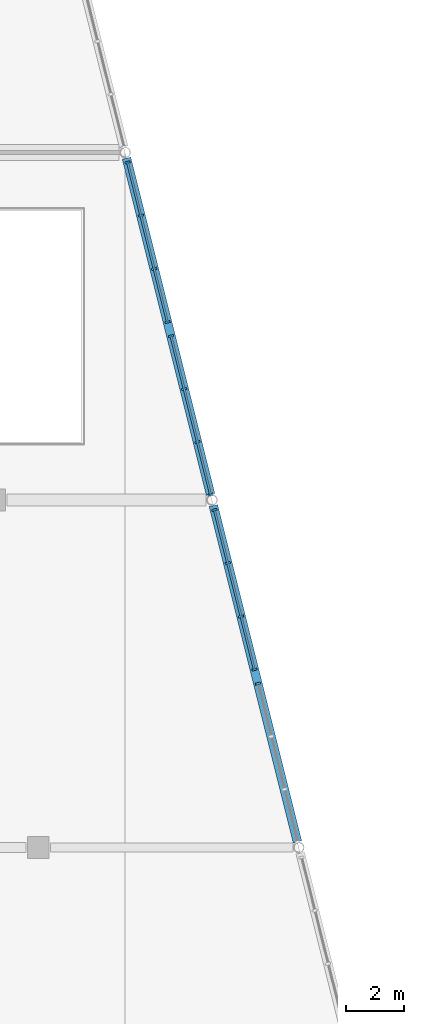
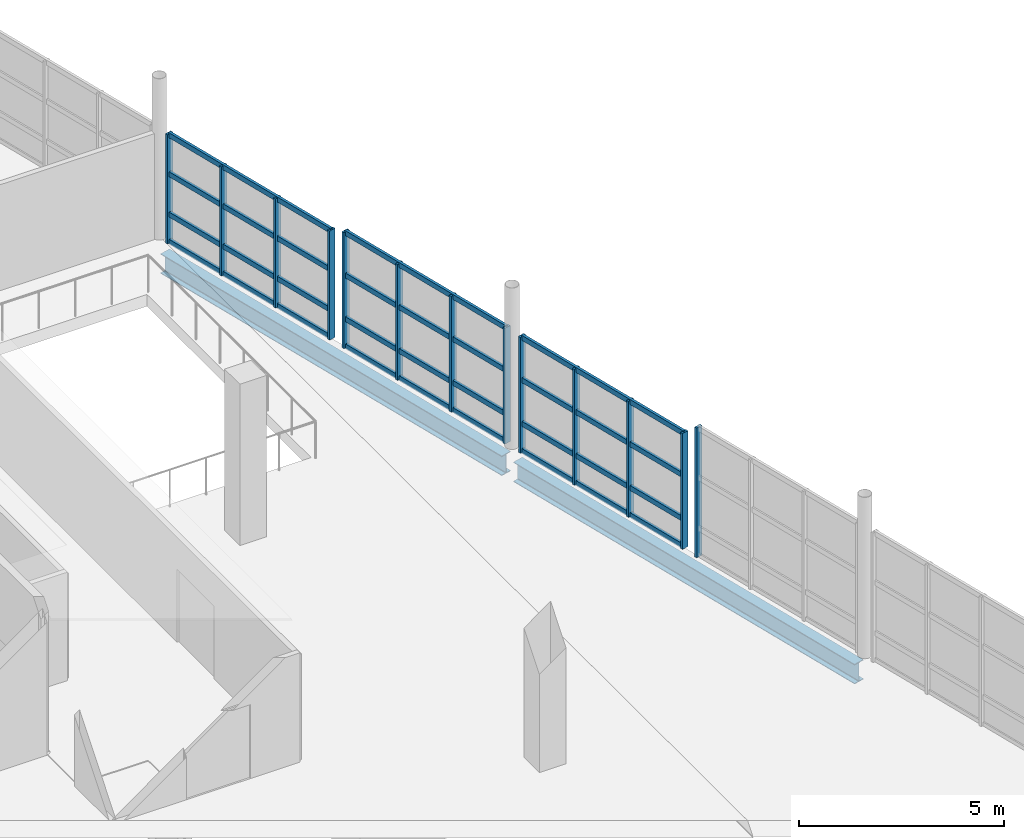
# One storey, part 41 of 112: 25 members, 2 beams, 4 elements without a shape of their own.
"""IFC4 building model written with IfcOpenShell, lengths in metres."""

from ifc_helpers import new_model, si_unit, direction, frame, origin, origin_2d, place, context, subcontext, project, spatial, rectangle, i_section, extrude, material, material_profile, profile_set, type_object, element, aggregate, save


model = new_model("IFC4")

# Units and contexts
model_context = context("Model", 3, precision=1e-05, world=origin(), true_north=direction((0.0, 1.0)))
body_context = subcontext(model_context, "Body", "Model", "MODEL_VIEW")
ifc_project = project(units=[si_unit("LENGTHUNIT", "METRE"), si_unit("AREAUNIT", "SQUARE_METRE"), si_unit("VOLUMEUNIT", "CUBIC_METRE"), si_unit("PLANEANGLEUNIT", "RADIAN"), si_unit("MASSUNIT", "GRAM", prefix="KILO")], contexts=[model_context])

# Site, building, storey
site_placement = place(None, origin())
site = spatial("IfcSite", under=ifc_project, at=site_placement, CompositionType="ELEMENT")
building_placement = place(site_placement, origin())
building = spatial("IfcBuilding", under=site, at=building_placement, Name="Kamomehara Wholesale Market", CompositionType="ELEMENT")
storey_placement = place(building_placement, frame((0.0, 0.0, 6.60009765625)))
storey = spatial("IfcBuildingStorey", under=building, at=storey_placement, Name="L01", CompositionType="ELEMENT", Elevation=6.60009765625)

# Beams
ifc_material_1 = material(Name="Steel SN490B", Category="steel")
ifc_material_profile_1 = material_profile(ifc_material_1, i_section(OverallWidth=0.300048828125, OverallDepth=0.587890625, WebThickness=0.011962890625, FlangeThickness=0.02001953125, FilletRadius=0.02197265625, at=origin_2d()), Name="H-588x300x12x20")
ifc_profile_set_1 = profile_set([ifc_material_profile_1], Name="Steel SN490B")
beam_type = type_object("IfcBeamType", Name="BM-ST-H588-EXT", PredefinedType="BEAM", material=ifc_profile_set_1)
for number, where, z_axis, x_axis, name in (
    (1, (197.950927734375, 48.197021484375, -0.6162109375), (-0.242564435623, 0.970135297044, 0.0), (-0.970135297044, -0.242564435623, 0.0), "Beam SG-06E L01"),
    (2, (194.950927734375, 60.197021484375, -0.64599609375), (-0.242564435623, 0.970135297044, 0.0), (-0.970135297044, -0.242564435623, 0.0), "Beam SG-06E L01"),
):
    element("IfcBeam", number, at=place(storey_placement, frame(where, z_axis=z_axis, x_axis=x_axis)), inside=storey, type_object=beam_type, Name=name, PredefinedType="BEAM", context=body_context, shape_type="SweptSolid", body=[
        extrude(i_section(OverallWidth=0.300048828125, OverallDepth=0.587890625, WebThickness=0.011962890625, FlangeThickness=0.02001953125, FilletRadius=0.02197265625, at=origin_2d()), origin(), (0.0, 0.0, 1.0), 11.963134765625),
    ])

# Curtain wall, members
ifc_material_2 = material(Name="Anodised aluminium 6063-T5", Category="aluminium")
curtain_wall_type = type_object("IfcCurtainWallType", Name="CW-UN-09", PredefinedType="NOTDEFINED", material=ifc_material_2)
curtain_wall_1_placement = place(storey_placement, origin())
curtain_wall_1 = element("IfcCurtainWall", 3, at=curtain_wall_1_placement, inside=storey, type_object=curtain_wall_type, Name="Unitised curtain wall CW-181", PredefinedType="NOTDEFINED")
ifc_material_3 = material(Name="Anodised aluminium 6063-T5", Category="aluminium")
ifc_material_profile_2 = material_profile(ifc_material_3, rectangle(XDim=0.074951171875, YDim=0.179931640625, at=origin_2d()), Name="ALU-MUL-75x180")
ifc_profile_set_2 = profile_set([ifc_material_profile_2], Name="Anodised aluminium 6063-T5")
member_type_1 = type_object("IfcMemberType", Name="CW-MUL-180", PredefinedType="MULLION", material=ifc_profile_set_2)
member_1_placement = place(storey_placement, frame((195.0849609375, 59.659912109375, 0.0), z_axis=(0.0, 0.0, 1.0), x_axis=(0.242617855844, -0.97012193874, 0.0)))
member_1 = element("IfcMember", 4, at=member_1_placement, type_object=member_type_1, Name="Mullion CW-181.0", PredefinedType="MULLION", context=body_context, shape_type="SweptSolid", body=[
    extrude(rectangle(XDim=0.074951171875, YDim=0.179931640625, at=origin_2d()), origin(), (0.0, 0.0, 1.0), 3.447998046875),
])
member_2_placement = place(storey_placement, frame((195.544921875, 57.822021484375, 0.0), z_axis=(0.0, 0.0, 1.0), x_axis=(0.242617855844, -0.97012193874, 0.0)))
member_2 = element("IfcMember", 5, at=member_2_placement, type_object=member_type_1, Name="Mullion CW-181.1", PredefinedType="MULLION", context=body_context, shape_type="SweptSolid", body=[
    extrude(rectangle(XDim=0.074951171875, YDim=0.179931640625, at=origin_2d()), origin(), (0.0, 0.0, 1.0), 3.447998046875),
])
member_3_placement = place(storey_placement, frame((196.00390625, 55.98388671875, 0.0), z_axis=(0.0, 0.0, 1.0), x_axis=(0.242617855844, -0.97012193874, 0.0)))
member_3 = element("IfcMember", 6, at=member_3_placement, type_object=member_type_1, Name="Mullion CW-181.2", PredefinedType="MULLION", context=body_context, shape_type="SweptSolid", body=[
    extrude(rectangle(XDim=0.074951171875, YDim=0.179931640625, at=origin_2d()), origin(), (0.0, 0.0, 1.0), 3.447998046875),
])
member_4_placement = place(storey_placement, frame((196.464111328125, 54.14599609375, 0.0), z_axis=(0.0, 0.0, 1.0), x_axis=(0.242617855844, -0.97012193874, 0.0)))
member_4 = element("IfcMember", 7, at=member_4_placement, type_object=member_type_1, Name="Mullion CW-181.3", PredefinedType="MULLION", context=body_context, shape_type="SweptSolid", body=[
    extrude(rectangle(XDim=0.074951171875, YDim=0.179931640625, at=origin_2d()), origin(), (0.0, 0.0, 1.0), 3.447998046875),
])

# Curtain wall, member
curtain_wall_2_placement = place(storey_placement, origin())
curtain_wall_2 = element("IfcCurtainWall", 8, at=curtain_wall_2_placement, inside=storey, type_object=curtain_wall_type, Name="Unitised curtain wall CW-182", PredefinedType="NOTDEFINED")
member_5_placement = place(storey_placement, frame((196.5849609375, 53.659912109375, 0.0), z_axis=(0.0, 0.0, 1.0), x_axis=(0.242451920441, -0.970163422458, 0.0)))
member_5 = element("IfcMember", 9, at=member_5_placement, type_object=member_type_1, Name="Mullion CW-182.0", PredefinedType="MULLION", context=body_context, shape_type="SweptSolid", body=[
    extrude(rectangle(XDim=0.074951171875, YDim=0.179931640625, at=origin_2d()), origin(), (0.0, 0.0, 1.0), 3.85986328125),
])
aggregate(curtain_wall_2, [member_5])

# Curtain wall, members
curtain_wall_3_placement = place(storey_placement, origin())
curtain_wall_3 = element("IfcCurtainWall", 10, at=curtain_wall_3_placement, inside=storey, type_object=curtain_wall_type, Name="Unitised curtain wall CW-183", PredefinedType="NOTDEFINED")
member_6_placement = place(storey_placement, frame((192.0849609375, 71.659912109375, 0.0), z_axis=(0.0, 0.0, 1.0), x_axis=(0.242617855844, -0.97012193874, 0.0)))
member_6 = element("IfcMember", 11, at=member_6_placement, type_object=member_type_1, Name="Mullion CW-183.0", PredefinedType="MULLION", context=body_context, shape_type="SweptSolid", body=[
    extrude(rectangle(XDim=0.074951171875, YDim=0.179931640625, at=origin_2d()), origin(), (0.0, 0.0, 1.0), 3.247802734375),
])
member_7_placement = place(storey_placement, frame((192.544921875, 69.822021484375, 0.0), z_axis=(0.0, 0.0, 1.0), x_axis=(0.242617855844, -0.97012193874, 0.0)))
member_7 = element("IfcMember", 12, at=member_7_placement, type_object=member_type_1, Name="Mullion CW-183.1", PredefinedType="MULLION", context=body_context, shape_type="SweptSolid", body=[
    extrude(rectangle(XDim=0.074951171875, YDim=0.179931640625, at=origin_2d()), origin(), (0.0, 0.0, 1.0), 3.247802734375),
])
member_8_placement = place(storey_placement, frame((193.00390625, 67.98388671875, 0.0), z_axis=(0.0, 0.0, 1.0), x_axis=(0.242617855844, -0.97012193874, 0.0)))
member_8 = element("IfcMember", 13, at=member_8_placement, type_object=member_type_1, Name="Mullion CW-183.2", PredefinedType="MULLION", context=body_context, shape_type="SweptSolid", body=[
    extrude(rectangle(XDim=0.074951171875, YDim=0.179931640625, at=origin_2d()), origin(), (0.0, 0.0, 1.0), 3.247802734375),
])
member_9_placement = place(storey_placement, frame((193.464111328125, 66.14599609375, 0.0), z_axis=(0.0, 0.0, 1.0), x_axis=(0.242617855844, -0.97012193874, 0.0)))
member_9 = element("IfcMember", 14, at=member_9_placement, type_object=member_type_1, Name="Mullion CW-183.3", PredefinedType="MULLION", context=body_context, shape_type="SweptSolid", body=[
    extrude(rectangle(XDim=0.074951171875, YDim=0.179931640625, at=origin_2d()), origin(), (0.0, 0.0, 1.0), 3.247802734375),
])

curtain_wall_4_placement = place(storey_placement, origin())
curtain_wall_4 = element("IfcCurtainWall", 15, at=curtain_wall_4_placement, inside=storey, type_object=curtain_wall_type, Name="Unitised curtain wall CW-184", PredefinedType="NOTDEFINED")
member_10_placement = place(storey_placement, frame((193.5849609375, 65.659912109375, 0.0), z_axis=(0.0, 0.0, 1.0), x_axis=(0.242451920441, -0.970163422458, 0.0)))
member_10 = element("IfcMember", 16, at=member_10_placement, type_object=member_type_1, Name="Mullion CW-184.0", PredefinedType="MULLION", context=body_context, shape_type="SweptSolid", body=[
    extrude(rectangle(XDim=0.074951171875, YDim=0.179931640625, at=origin_2d()), origin(), (0.0, 0.0, 1.0), 3.447998046875),
])
member_11_placement = place(storey_placement, frame((194.041015625, 63.833984375, 0.0), z_axis=(0.0, 0.0, 1.0), x_axis=(0.242451920441, -0.970163422458, 0.0)))
member_11 = element("IfcMember", 17, at=member_11_placement, type_object=member_type_1, Name="Mullion CW-184.1", PredefinedType="MULLION", context=body_context, shape_type="SweptSolid", body=[
    extrude(rectangle(XDim=0.074951171875, YDim=0.179931640625, at=origin_2d()), origin(), (0.0, 0.0, 1.0), 3.447998046875),
])
member_12_placement = place(storey_placement, frame((194.498046875, 62.008056640625, 0.0), z_axis=(0.0, 0.0, 1.0), x_axis=(0.242451920441, -0.970163422458, 0.0)))
member_12 = element("IfcMember", 18, at=member_12_placement, type_object=member_type_1, Name="Mullion CW-184.2", PredefinedType="MULLION", context=body_context, shape_type="SweptSolid", body=[
    extrude(rectangle(XDim=0.074951171875, YDim=0.179931640625, at=origin_2d()), origin(), (0.0, 0.0, 1.0), 3.447998046875),
])
member_13_placement = place(storey_placement, frame((194.9541015625, 60.181884765625, 0.0), z_axis=(0.0, 0.0, 1.0), x_axis=(0.242451920441, -0.970163422458, 0.0)))
member_13 = element("IfcMember", 19, at=member_13_placement, type_object=member_type_1, Name="Mullion CW-184.3", PredefinedType="MULLION", context=body_context, shape_type="SweptSolid", body=[
    extrude(rectangle(XDim=0.074951171875, YDim=0.179931640625, at=origin_2d()), origin(), (0.0, 0.0, 1.0), 3.447998046875),
])

# Member
ifc_material_4 = material(Name="Anodised aluminium 6063-T5", Category="aluminium")
ifc_material_profile_3 = material_profile(ifc_material_4, rectangle(XDim=0.074951171875, YDim=0.14990234375, at=origin_2d()), Name="ALU-TRN-75x150")
ifc_profile_set_3 = profile_set([ifc_material_profile_3], Name="Anodised aluminium 6063-T5")
member_type_2 = type_object("IfcMemberType", Name="CW-TRN-150", PredefinedType="USERDEFINED", material=ifc_profile_set_3)
member_14_placement = place(storey_placement, frame((195.0849609375, 59.659912109375, 0.039794921875), z_axis=(0.242646798343, -0.97011470005, 0.0), x_axis=(0.97011470005, 0.242646798343, 0.0)))
member_14 = element("IfcMember", 20, at=member_14_placement, type_object=member_type_2, Name="Transom CW-181.0", ObjectType="TRANSOM", PredefinedType="USERDEFINED", context=body_context, shape_type="SweptSolid", body=[
    extrude(rectangle(XDim=0.074951171875, YDim=0.14990234375, at=origin_2d()), origin(), (0.0, 0.0, 1.0), 5.683837890625),
])

member_15_placement = place(storey_placement, frame((195.0849609375, 59.659912109375, 0.849853515625), z_axis=(0.242646798343, -0.97011470005, 0.0), x_axis=(0.97011470005, 0.242646798343, 0.0)))
member_15 = element("IfcMember", 21, at=member_15_placement, type_object=member_type_2, Name="Transom CW-181.1", ObjectType="TRANSOM", PredefinedType="USERDEFINED", context=body_context, shape_type="SweptSolid", body=[
    extrude(rectangle(XDim=0.074951171875, YDim=0.14990234375, at=origin_2d()), origin(), (0.0, 0.0, 1.0), 5.683837890625),
])

member_16_placement = place(storey_placement, frame((195.0849609375, 59.659912109375, 2.14892578125), z_axis=(0.242646798343, -0.97011470005, 0.0), x_axis=(0.97011470005, 0.242646798343, 0.0)))
member_16 = element("IfcMember", 22, at=member_16_placement, type_object=member_type_2, Name="Transom CW-181.2", ObjectType="TRANSOM", PredefinedType="USERDEFINED", context=body_context, shape_type="SweptSolid", body=[
    extrude(rectangle(XDim=0.074951171875, YDim=0.14990234375, at=origin_2d()), origin(), (0.0, 0.0, 1.0), 5.683837890625),
])

member_17_placement = place(storey_placement, frame((195.0849609375, 59.659912109375, 3.407958984375), z_axis=(0.242646798343, -0.97011470005, 0.0), x_axis=(0.97011470005, 0.242646798343, 0.0)))
member_17 = element("IfcMember", 23, at=member_17_placement, type_object=member_type_2, Name="Transom CW-181.3", ObjectType="TRANSOM", PredefinedType="USERDEFINED", context=body_context, shape_type="SweptSolid", body=[
    extrude(rectangle(XDim=0.074951171875, YDim=0.14990234375, at=origin_2d()), origin(), (0.0, 0.0, 1.0), 5.683837890625),
])

aggregate(curtain_wall_1, [member_1, member_2, member_3, member_4, member_14, member_15, member_16, member_17])

member_18_placement = place(storey_placement, frame((192.0849609375, 71.659912109375, 0.039794921875), z_axis=(0.242646798343, -0.97011470005, 0.0), x_axis=(0.97011470005, 0.242646798343, 0.0)))
member_18 = element("IfcMember", 24, at=member_18_placement, type_object=member_type_2, Name="Transom CW-183.0", ObjectType="TRANSOM", PredefinedType="USERDEFINED", context=body_context, shape_type="SweptSolid", body=[
    extrude(rectangle(XDim=0.074951171875, YDim=0.14990234375, at=origin_2d()), origin(), (0.0, 0.0, 1.0), 5.683837890625),
])

member_19_placement = place(storey_placement, frame((192.0849609375, 71.659912109375, 0.849853515625), z_axis=(0.242646798343, -0.97011470005, 0.0), x_axis=(0.97011470005, 0.242646798343, 0.0)))
member_19 = element("IfcMember", 25, at=member_19_placement, type_object=member_type_2, Name="Transom CW-183.1", ObjectType="TRANSOM", PredefinedType="USERDEFINED", context=body_context, shape_type="SweptSolid", body=[
    extrude(rectangle(XDim=0.074951171875, YDim=0.14990234375, at=origin_2d()), origin(), (0.0, 0.0, 1.0), 5.683837890625),
])

member_20_placement = place(storey_placement, frame((192.0849609375, 71.659912109375, 2.048828125), z_axis=(0.242646798343, -0.97011470005, 0.0), x_axis=(0.97011470005, 0.242646798343, 0.0)))
member_20 = element("IfcMember", 26, at=member_20_placement, type_object=member_type_2, Name="Transom CW-183.2", ObjectType="TRANSOM", PredefinedType="USERDEFINED", context=body_context, shape_type="SweptSolid", body=[
    extrude(rectangle(XDim=0.074951171875, YDim=0.14990234375, at=origin_2d()), origin(), (0.0, 0.0, 1.0), 5.683837890625),
])

member_21_placement = place(storey_placement, frame((192.0849609375, 71.659912109375, 3.2080078125), z_axis=(0.242646798343, -0.97011470005, 0.0), x_axis=(0.97011470005, 0.242646798343, 0.0)))
member_21 = element("IfcMember", 27, at=member_21_placement, type_object=member_type_2, Name="Transom CW-183.3", ObjectType="TRANSOM", PredefinedType="USERDEFINED", context=body_context, shape_type="SweptSolid", body=[
    extrude(rectangle(XDim=0.074951171875, YDim=0.14990234375, at=origin_2d()), origin(), (0.0, 0.0, 1.0), 5.683837890625),
])

aggregate(curtain_wall_3, [member_6, member_7, member_8, member_9, member_18, member_19, member_20, member_21])

member_22_placement = place(storey_placement, frame((193.5849609375, 65.659912109375, 0.039794921875), z_axis=(0.242474583711, -0.970157758436, 0.0), x_axis=(0.970157758436, 0.242474583711, 0.0)))
member_22 = element("IfcMember", 28, at=member_22_placement, type_object=member_type_2, Name="Transom CW-184.0", ObjectType="TRANSOM", PredefinedType="USERDEFINED", context=body_context, shape_type="SweptSolid", body=[
    extrude(rectangle(XDim=0.074951171875, YDim=0.14990234375, at=origin_2d()), origin(), (0.0, 0.0, 1.0), 5.646484375),
])

member_23_placement = place(storey_placement, frame((193.5849609375, 65.659912109375, 0.849853515625), z_axis=(0.242474583711, -0.970157758436, 0.0), x_axis=(0.970157758436, 0.242474583711, 0.0)))
member_23 = element("IfcMember", 29, at=member_23_placement, type_object=member_type_2, Name="Transom CW-184.1", ObjectType="TRANSOM", PredefinedType="USERDEFINED", context=body_context, shape_type="SweptSolid", body=[
    extrude(rectangle(XDim=0.074951171875, YDim=0.14990234375, at=origin_2d()), origin(), (0.0, 0.0, 1.0), 5.646484375),
])

member_24_placement = place(storey_placement, frame((193.5849609375, 65.659912109375, 2.14892578125), z_axis=(0.242474583711, -0.970157758436, 0.0), x_axis=(0.970157758436, 0.242474583711, 0.0)))
member_24 = element("IfcMember", 30, at=member_24_placement, type_object=member_type_2, Name="Transom CW-184.2", ObjectType="TRANSOM", PredefinedType="USERDEFINED", context=body_context, shape_type="SweptSolid", body=[
    extrude(rectangle(XDim=0.074951171875, YDim=0.14990234375, at=origin_2d()), origin(), (0.0, 0.0, 1.0), 5.646484375),
])

member_25_placement = place(storey_placement, frame((193.5849609375, 65.659912109375, 3.407958984375), z_axis=(0.242474583711, -0.970157758436, 0.0), x_axis=(0.970157758436, 0.242474583711, 0.0)))
member_25 = element("IfcMember", 31, at=member_25_placement, type_object=member_type_2, Name="Transom CW-184.3", ObjectType="TRANSOM", PredefinedType="USERDEFINED", context=body_context, shape_type="SweptSolid", body=[
    extrude(rectangle(XDim=0.074951171875, YDim=0.14990234375, at=origin_2d()), origin(), (0.0, 0.0, 1.0), 5.646484375),
])

aggregate(curtain_wall_4, [member_10, member_11, member_12, member_13, member_22, member_23, member_24, member_25])

save(model, "model.ifc")
